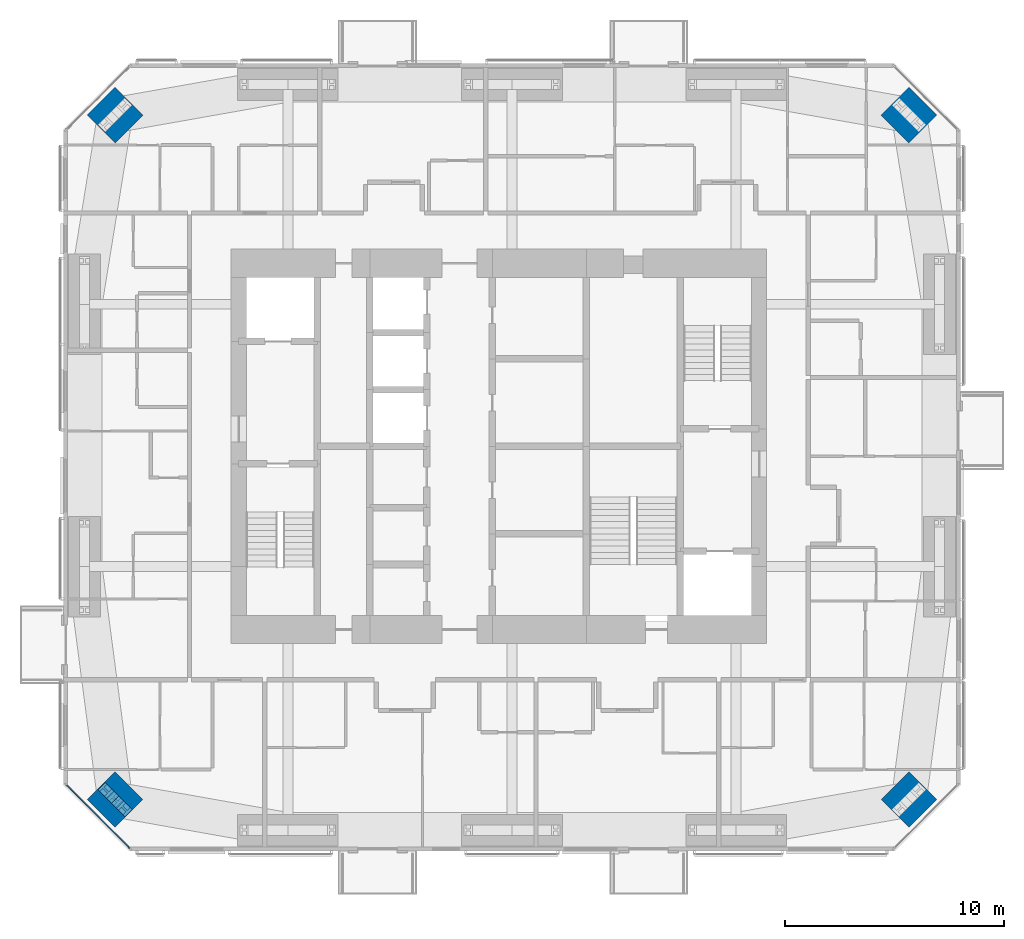
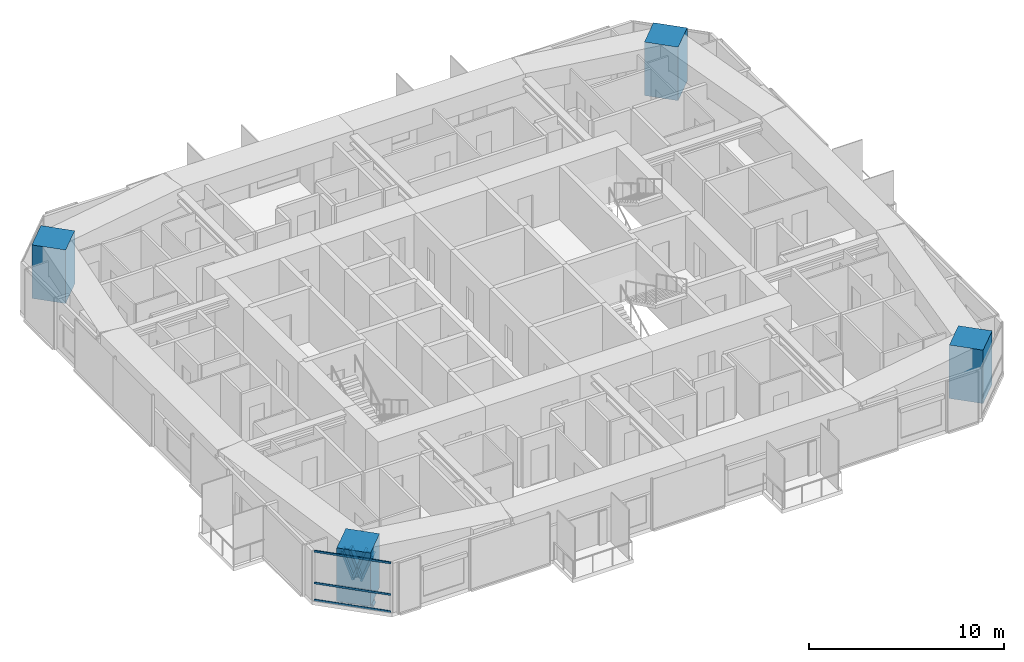
# One storey, part 1 of 23: 7 members, 4 columns, 1 element without a shape of its own.
"""IFC4 building model written with IfcOpenShell, lengths in metres."""

from ifc_helpers import new_model, si_unit, direction, frame, origin, origin_2d, place, context, subcontext, project, spatial, rectangle, i_section, extrude, material, material_profile, profile_set, type_object, element, aggregate, save


model = new_model("IFC4")

# Units and contexts
model_context = context("Model", 3, precision=1e-05, world=origin(), true_north=direction((0.0, 1.0)))
body_context = subcontext(model_context, "Body", "Model", "MODEL_VIEW")
ifc_project = project(units=[si_unit("LENGTHUNIT", "METRE"), si_unit("AREAUNIT", "SQUARE_METRE"), si_unit("VOLUMEUNIT", "CUBIC_METRE"), si_unit("PLANEANGLEUNIT", "RADIAN"), si_unit("MASSUNIT", "GRAM", prefix="KILO")], contexts=[model_context])

# Site, building, storey
site_placement = place(None, origin())
site = spatial("IfcSite", under=ifc_project, at=site_placement, CompositionType="ELEMENT")
building_placement = place(site_placement, origin())
building = spatial("IfcBuilding", under=site, at=building_placement, Name="Jalousie Tower", CompositionType="ELEMENT")
storey_placement = place(building_placement, frame((0.0, 0.0, 171.10009765625)))
storey = spatial("IfcBuildingStorey", under=building, at=storey_placement, Name="L46", CompositionType="ELEMENT", Elevation=171.10009765625)

# Columns
ifc_material_1 = material(Name="Concrete f'c 120 MPa", Category="concrete")
ifc_material_profile_1 = material_profile(ifc_material_1, rectangle(XDim=1.800048828125, YDim=1.800048828125, at=origin_2d()), Name="RC 1800x1800")
ifc_profile_set_1 = profile_set([ifc_material_profile_1], Name="Concrete f'c 120 MPa")
column_type = type_object("IfcColumnType", Name="RC COLUMN 1800x1800", PredefinedType="COLUMN", material=ifc_profile_set_1)
for number, where, z_axis, x_axis, name in (
    (1, (14.348388671875, 2.348388671875, 0.0), (0.0, 0.0, 1.0), (0.707106781187, 0.707106781187, 0.0), "Column 01 L46"),
    (2, (50.651611328125, 2.348388671875, 0.0), (0.0, 0.0, 1.0), (0.707106781187, 0.707106781187, 0.0), "Column 05 L46"),
    (3, (50.651611328125, 33.651611328125, 0.0), (0.0, 0.0, 1.0), (0.707106781187, 0.707106781187, 0.0), "Column 08 L46"),
    (4, (14.348388671875, 33.651611328125, 0.0), (0.0, 0.0, 1.0), (0.707106781187, 0.707106781187, 0.0), "Column 12 L46"),
):
    element("IfcColumn", number, at=place(storey_placement, frame(where, z_axis=z_axis, x_axis=x_axis)), inside=storey, type_object=column_type, Name=name, PredefinedType="COLUMN", context=body_context, shape_type="SweptSolid", body=[
        extrude(rectangle(XDim=1.800048828125, YDim=1.800048828125, at=origin_2d()), origin(), (0.0, 0.0, 1.0), 3.349853515625),
    ])

# Curtain wall, members
ifc_material_2 = material(Name="Aluminium curtain wall", Category="aluminium")
curtain_wall_type = type_object("IfcCurtainWallType", Name="CORNER WINDOW WALL", PredefinedType="USERDEFINED", material=ifc_material_2)
curtain_wall_placement = place(storey_placement, origin())
curtain_wall = element("IfcCurtainWall", 5, at=curtain_wall_placement, inside=storey, type_object=curtain_wall_type, Name="Corner Window Wall L46 8", ObjectType="CORNER WINDOW WALL", PredefinedType="USERDEFINED")
ifc_material_3 = material(Name="Aluminium transom", Category="aluminium")
ifc_material_profile_2 = material_profile(ifc_material_3, rectangle(XDim=0.06005859375, YDim=0.1201171875, at=origin_2d()), Name="TRANSOM 60x120")
ifc_profile_set_2 = profile_set([ifc_material_profile_2], Name="Aluminium transom")
member_type_1 = type_object("IfcMemberType", Name="CORNER WINDOW WALL TRANSOM", PredefinedType="USERDEFINED", material=ifc_profile_set_2)
member_1_placement = place(storey_placement, frame((12.1298828125, 3.0087890625, 0.02978515625), z_axis=(0.707106781187, -0.707106781187, 0.0), x_axis=(0.707106781187, 0.707106781187, 0.0)))
member_1 = element("IfcMember", 6, at=member_1_placement, type_object=member_type_1, Name="CW-C transom 1.1", ObjectType="TRANSOM", PredefinedType="USERDEFINED", context=body_context, shape_type="SweptSolid", body=[
    extrude(rectangle(XDim=0.06005859375, YDim=0.1201171875, at=origin_2d()), origin(), (0.0, 0.0, 1.0), 4.0712890625),
])
member_2_placement = place(storey_placement, frame((12.1298828125, 3.0087890625, 1.099853515625), z_axis=(0.707106781187, -0.707106781187, 0.0), x_axis=(0.707106781187, 0.707106781187, 0.0)))
member_2 = element("IfcMember", 7, at=member_2_placement, type_object=member_type_1, Name="CW-C transom 1.2", ObjectType="TRANSOM", PredefinedType="USERDEFINED", context=body_context, shape_type="SweptSolid", body=[
    extrude(rectangle(XDim=0.06005859375, YDim=0.1201171875, at=origin_2d()), origin(), (0.0, 0.0, 1.0), 4.0712890625),
])
member_3_placement = place(storey_placement, frame((12.1298828125, 3.0087890625, 3.079833984375), z_axis=(0.707106781187, -0.707106781187, 0.0), x_axis=(0.707106781187, 0.707106781187, 0.0)))
member_3 = element("IfcMember", 8, at=member_3_placement, type_object=member_type_1, Name="CW-C transom 1.3", ObjectType="TRANSOM", PredefinedType="USERDEFINED", context=body_context, shape_type="SweptSolid", body=[
    extrude(rectangle(XDim=0.06005859375, YDim=0.1201171875, at=origin_2d()), origin(), (0.0, 0.0, 1.0), 4.0712890625),
])
aggregate(curtain_wall, [member_1, member_2, member_3])

# Members
ifc_material_4 = material(Name="Steel ASTM A992 Grade 50", Category="steel")
ifc_material_profile_3 = material_profile(ifc_material_4, i_section(OverallWidth=0.472412109375, OverallDepth=0.5791015625, WebThickness=0.094970703125, FlangeThickness=0.1298828125, at=origin_2d()), Name="W14X808")
ifc_profile_set_3 = profile_set([ifc_material_profile_3], Name="Steel ASTM A992 Grade 50")
member_type_2 = type_object("IfcMemberType", Name="PERIMETER BRACE W14X808", PredefinedType="BRACE", material=ifc_profile_set_3)
for number, where, z_axis, x_axis, name in (
    (9, (13.92431640625, 2.772705078125, -0.60009765625), (0.238345540878, -0.238482757655, 0.941444303953), (0.707310235866, 0.706903267951, 0.0), "Perimeter brace 01 L46 part 1"),
    (10, (14.348388671875, 2.348388671875, 1.074951171875), (0.238482757655, -0.238345540878, 0.941444303953), (0.706903267951, 0.707310235866, 0.0), "Perimeter brace 01 L46 part 2"),
    (11, (14.772705078125, 1.92431640625, -0.60009765625), (-0.238482757655, 0.238345540878, 0.941444303953), (-0.706903267951, -0.707310235866, 0.0), "Perimeter brace 01 L46 part 3"),
    (12, (14.348388671875, 2.348388671875, 1.074951171875), (-0.238345540878, 0.238482757655, 0.941444303953), (-0.707310235866, -0.706903267951, 0.0), "Perimeter brace 01 L46 part 4"),
):
    element("IfcMember", number, at=place(storey_placement, frame(where, z_axis=z_axis, x_axis=x_axis)), inside=storey, type_object=member_type_2, Name=name, PredefinedType="BRACE", context=body_context, shape_type="SweptSolid", body=[
        extrude(i_section(OverallWidth=0.472412109375, OverallDepth=0.5791015625, WebThickness=0.094970703125, FlangeThickness=0.1298828125, at=origin_2d()), origin(), (0.0, 0.0, 1.0), 1.779296875),
    ])

save(model, "model.ifc")
